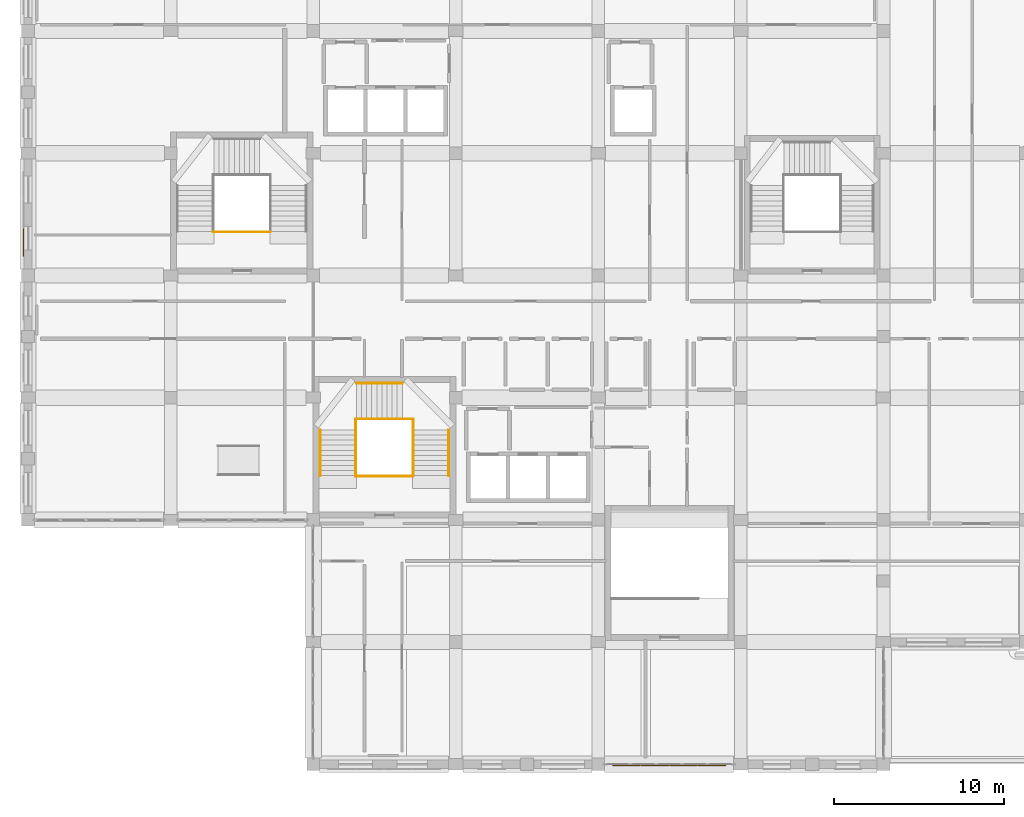
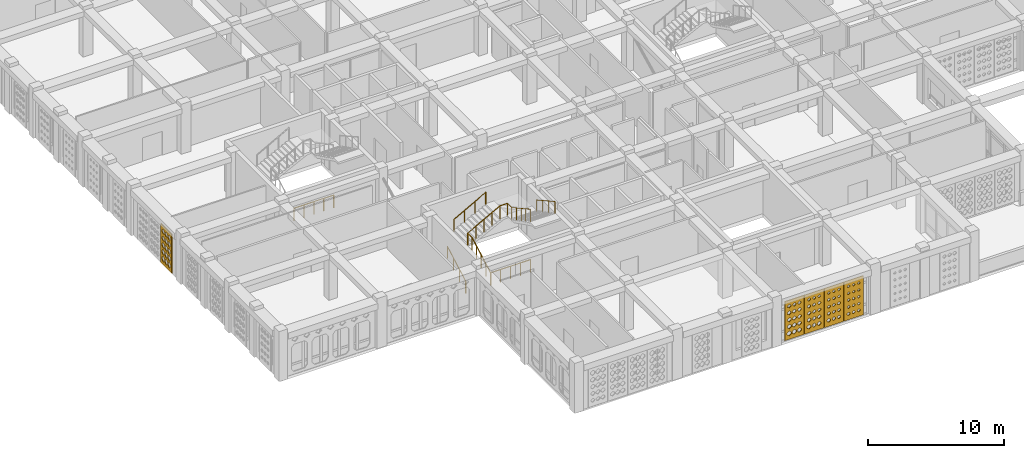
# One storey, part 76 of 111: 8 railings, 5 coverings.
"""IFC4 building model written with IfcOpenShell, lengths in metres."""

from ifc_helpers import new_model, si_unit, derived_unit, direction, frame, origin, origin_2d, place, context, subcontext, project, spatial, polyline, circle, outline, extrude, material, layer, layer_set, type_object, element, save


model = new_model("IFC4")

# Units and contexts
model_context = context("Model", 3, precision=1e-05, world=origin(), true_north=direction((0.0, 1.0)))
body_context = subcontext(model_context, "Body", "Model", "MODEL_VIEW")
ifc_project = project(units=[si_unit("LENGTHUNIT", "METRE"), si_unit("AREAUNIT", "SQUARE_METRE"), si_unit("VOLUMEUNIT", "CUBIC_METRE"), si_unit("PLANEANGLEUNIT", "RADIAN"), si_unit("MASSUNIT", "GRAM", prefix="KILO"), derived_unit("THERMALTRANSMITTANCEUNIT", [(si_unit("POWERUNIT", "WATT"), 1), (si_unit("LENGTHUNIT", "METRE"), -2), (si_unit("THERMODYNAMICTEMPERATUREUNIT", "KELVIN"), -1)])], contexts=[model_context])

# Site, building, storey
site_placement = place(None, origin())
site = spatial("IfcSite", under=ifc_project, at=site_placement, CompositionType="ELEMENT")
building_placement = place(site_placement, origin())
building = spatial("IfcBuilding", under=site, at=building_placement, Name="Veybourne Emporium", CompositionType="ELEMENT")
storey_placement = place(building_placement, frame((0.0, 0.0, 9.89990234375)))
storey = spatial("IfcBuildingStorey", under=building, at=storey_placement, Name="L02", CompositionType="ELEMENT", Elevation=9.89990234375)

# Railings
ifc_material_1 = material(Name="Brushed Stainless Steel", Category="steel")
railing_type_1 = type_object("IfcRailingType", Name="Guard_GR-01", PredefinedType="GUARDRAIL", material=ifc_material_1)
railing_1_placement = place(storey_placement, frame((19.31005859375, 17.0, 0.0)))
element("IfcRailing", 1, at=railing_1_placement, inside=storey, type_object=railing_type_1, Name="L02 ST-01 stair guard 1", PredefinedType="GUARDRAIL", context=body_context, shape_type="SweptSolid", body=[
    extrude(circle(Radius=0.02392578125, at=origin_2d()), frame((0.0, 0.0, 1.1259765625), z_axis=(0.0, 0.87415354758, 0.485649642493), x_axis=(-1.0, 0.0, 0.0)), (0.0, 0.0, 1.0), 3.088623046875),
    extrude(circle(Radius=0.02392578125, at=origin_2d()), frame((0.0, 2.699951171875, 2.6259765625), z_axis=(0.0, 1.0, 0.0), x_axis=(-1.0, 0.0, 0.0)), (0.0, 0.0, 1.0), 0.64013671875),
    extrude(circle(Radius=0.02099609375, at=origin_2d()), origin(), (0.0, 0.0, 1.0), 1.101806640625),
    extrude(circle(Radius=0.02099609375, at=origin_2d()), frame((0.0, 0.675048828125, 0.375)), (0.0, 0.0, 1.0), 1.101806640625),
    extrude(circle(Radius=0.02099609375, at=origin_2d()), frame((0.0, 1.35009765625, 0.75)), (0.0, 0.0, 1.0), 1.101806640625),
    extrude(circle(Radius=0.02099609375, at=origin_2d()), frame((0.0, 2.02490234375, 1.125)), (0.0, 0.0, 1.0), 1.101806640625),
    extrude(circle(Radius=0.02099609375, at=origin_2d()), frame((0.0, 2.699951171875, 1.5)), (0.0, 0.0, 1.0), 1.101806640625),
    extrude(circle(Radius=0.02099609375, at=origin_2d()), frame((0.0, 3.340087890625, 1.5)), (0.0, 0.0, 1.0), 1.101806640625),
])
railing_2_placement = place(storey_placement, frame((19.31005859375, 20.340087890625, 1.5)))
element("IfcRailing", 2, at=railing_2_placement, inside=storey, type_object=railing_type_1, Name="L02 ST-01 stair guard 2", PredefinedType="GUARDRAIL", context=body_context, shape_type="SweptSolid", body=[
    extrude(circle(Radius=0.02392578125, at=origin_2d()), frame((0.0, 0.0, 1.1259765625), z_axis=(0.87715976088, 0.0, 0.480198660861), x_axis=(0.0, 1.0, 0.0)), (0.0, 0.0, 1.0), 3.123779296875),
    extrude(circle(Radius=0.02392578125, at=origin_2d()), frame((2.739990234375, 0.0, 2.6259765625), z_axis=(1.0, 0.0, 0.0), x_axis=(0.0, 1.0, 0.0)), (0.0, 0.0, 1.0), 0.639892578125),
    extrude(circle(Radius=0.02099609375, at=origin_2d()), origin(), (0.0, 0.0, 1.0), 1.101806640625),
    extrude(circle(Radius=0.02099609375, at=origin_2d()), frame((0.68505859375, 0.0, 0.375)), (0.0, 0.0, 1.0), 1.101806640625),
    extrude(circle(Radius=0.02099609375, at=origin_2d()), frame((1.3701171875, 0.0, 0.75)), (0.0, 0.0, 1.0), 1.101806640625),
    extrude(circle(Radius=0.02099609375, at=origin_2d()), frame((2.054931640625, 0.0, 1.125)), (0.0, 0.0, 1.0), 1.101806640625),
    extrude(circle(Radius=0.02099609375, at=origin_2d()), frame((2.739990234375, 0.0, 1.5)), (0.0, 0.0, 1.0), 1.101806640625),
    extrude(circle(Radius=0.02099609375, at=origin_2d()), frame((3.3798828125, 0.0, 1.5)), (0.0, 0.0, 1.0), 1.101806640625),
])
railing_3_placement = place(storey_placement, frame((22.68994140625, 20.340087890625, 3.0)))
element("IfcRailing", 3, at=railing_3_placement, inside=storey, type_object=railing_type_1, Name="L02 ST-01 stair guard 3", PredefinedType="GUARDRAIL", context=body_context, shape_type="SweptSolid", body=[
    extrude(circle(Radius=0.02392578125, at=origin_2d()), frame((0.0, 0.0, 1.1259765625), z_axis=(0.0, -1.0, 0.0), x_axis=(1.0, 0.0, 0.0)), (0.0, 0.0, 1.0), 0.64013671875),
    extrude(circle(Radius=0.02392578125, at=origin_2d()), frame((0.0, -0.64013671875, 1.1259765625), z_axis=(0.0, -0.87415354758, 0.485649642493), x_axis=(1.0, 0.0, 0.0)), (0.0, 0.0, 1.0), 3.088623046875),
    extrude(circle(Radius=0.02099609375, at=origin_2d()), origin(), (0.0, 0.0, 1.0), 1.101806640625),
    extrude(circle(Radius=0.02099609375, at=origin_2d()), frame((0.0, -0.64013671875, 0.0)), (0.0, 0.0, 1.0), 1.101806640625),
    extrude(circle(Radius=0.02099609375, at=origin_2d()), frame((0.0, -1.315185546875, 0.375)), (0.0, 0.0, 1.0), 1.101806640625),
    extrude(circle(Radius=0.02099609375, at=origin_2d()), frame((0.0, -1.990234375, 0.75)), (0.0, 0.0, 1.0), 1.101806640625),
    extrude(circle(Radius=0.02099609375, at=origin_2d()), frame((0.0, -2.6650390625, 1.125)), (0.0, 0.0, 1.0), 1.101806640625),
    extrude(circle(Radius=0.02099609375, at=origin_2d()), frame((0.0, -3.340087890625, 1.5)), (0.0, 0.0, 1.0), 1.101806640625),
])
railing_4_placement = place(storey_placement, frame((19.31005859375, 16.9599609375, 0.0)))
element("IfcRailing", 4, at=railing_4_placement, inside=storey, type_object=railing_type_1, Name="L02 ST-01 stair guard 4", PredefinedType="GUARDRAIL", context=body_context, shape_type="SweptSolid", body=[
    extrude(circle(Radius=0.02392578125, at=origin_2d()), frame((0.0, 0.0, 1.1259765625), z_axis=(1.0, 0.0, 0.0), x_axis=(0.0, 1.0, 0.0)), (0.0, 0.0, 1.0), 3.3798828125),
    extrude(circle(Radius=0.02099609375, at=origin_2d()), origin(), (0.0, 0.0, 1.0), 1.101806640625),
    extrude(circle(Radius=0.02099609375, at=origin_2d()), frame((0.844970703125, 0.0, 0.0)), (0.0, 0.0, 1.0), 1.101806640625),
    extrude(circle(Radius=0.02099609375, at=origin_2d()), frame((1.68994140625, 0.0, 0.0)), (0.0, 0.0, 1.0), 1.101806640625),
    extrude(circle(Radius=0.02099609375, at=origin_2d()), frame((2.534912109375, 0.0, 0.0)), (0.0, 0.0, 1.0), 1.101806640625),
    extrude(circle(Radius=0.02099609375, at=origin_2d()), frame((3.3798828125, 0.0, 0.0)), (0.0, 0.0, 1.0), 1.101806640625),
])
railing_5_placement = place(storey_placement, frame((10.909912109375, 31.360107421875, 0.0)))
element("IfcRailing", 5, at=railing_5_placement, inside=storey, type_object=railing_type_1, Name="L02 ST-02 stair guard 4", PredefinedType="GUARDRAIL", context=body_context, shape_type="SweptSolid", body=[
    extrude(circle(Radius=0.02392578125, at=origin_2d()), frame((0.0, 0.0, 1.1259765625), z_axis=(1.0, 0.0, 0.0), x_axis=(0.0, 1.0, 0.0)), (0.0, 0.0, 1.0), 3.380126953125),
    extrude(circle(Radius=0.02099609375, at=origin_2d()), origin(), (0.0, 0.0, 1.0), 1.101806640625),
    extrude(circle(Radius=0.02099609375, at=origin_2d()), frame((0.844970703125, 0.0, 0.0)), (0.0, 0.0, 1.0), 1.101806640625),
    extrude(circle(Radius=0.02099609375, at=origin_2d()), frame((1.68994140625, 0.0, 0.0)), (0.0, 0.0, 1.0), 1.101806640625),
    extrude(circle(Radius=0.02099609375, at=origin_2d()), frame((2.53515625, 0.0, 0.0)), (0.0, 0.0, 1.0), 1.101806640625),
    extrude(circle(Radius=0.02099609375, at=origin_2d()), frame((3.380126953125, 0.0, 0.0)), (0.0, 0.0, 1.0), 1.101806640625),
])
railing_type_2 = type_object("IfcRailingType", Name="Handrail_HR-01", PredefinedType="HANDRAIL", material=ifc_material_1)
railing_6_placement = place(storey_placement, frame((17.2099609375, 17.0, 0.150146484375)))
element("IfcRailing", 6, at=railing_6_placement, inside=storey, type_object=railing_type_2, Name="L02 ST-01 pitch handrail 1", PredefinedType="HANDRAIL", context=body_context, shape_type="SweptSolid", body=[
    extrude(circle(Radius=0.02392578125, at=origin_2d()), frame((0.0, 0.0, 0.92578125), z_axis=(0.0, 0.87415354758, 0.485649642493), x_axis=(-1.0, 0.0, 0.0)), (0.0, 0.0, 1.0), 3.088623046875),
    extrude(circle(Radius=0.02099609375, at=origin_2d()), frame((0.0, 0.0, -0.14990234375)), (0.0, 0.0, 1.0), 1.0517578125),
    extrude(circle(Radius=0.02099609375, at=origin_2d()), frame((0.0, 0.89990234375, 0.35009765625)), (0.0, 0.0, 1.0), 1.0517578125),
    extrude(circle(Radius=0.02099609375, at=origin_2d()), frame((0.0, 1.800048828125, 0.85009765625)), (0.0, 0.0, 1.0), 1.0517578125),
    extrude(circle(Radius=0.02099609375, at=origin_2d()), frame((0.0, 2.699951171875, 1.35009765625)), (0.0, 0.0, 1.0), 1.0517578125),
])
railing_7_placement = place(storey_placement, frame((19.35009765625, 22.43994140625, 1.650146484375)))
element("IfcRailing", 7, at=railing_7_placement, inside=storey, type_object=railing_type_2, Name="L02 ST-01 pitch handrail 2", PredefinedType="HANDRAIL", context=body_context, shape_type="SweptSolid", body=[
    extrude(circle(Radius=0.02392578125, at=origin_2d()), frame((0.0, 0.0, 0.92578125), z_axis=(0.87415354758, 0.0, 0.485649642493), x_axis=(0.0, 1.0, 0.0)), (0.0, 0.0, 1.0), 3.088623046875),
    extrude(circle(Radius=0.02099609375, at=origin_2d()), frame((0.0, 0.0, -0.14990234375)), (0.0, 0.0, 1.0), 1.0517578125),
    extrude(circle(Radius=0.02099609375, at=origin_2d()), frame((0.89990234375, 0.0, 0.35009765625)), (0.0, 0.0, 1.0), 1.0517578125),
    extrude(circle(Radius=0.02099609375, at=origin_2d()), frame((1.800048828125, 0.0, 0.85009765625)), (0.0, 0.0, 1.0), 1.0517578125),
    extrude(circle(Radius=0.02099609375, at=origin_2d()), frame((2.699951171875, 0.0, 1.35009765625)), (0.0, 0.0, 1.0), 1.0517578125),
])
railing_8_placement = place(storey_placement, frame((24.7900390625, 19.699951171875, 3.150146484375)))
element("IfcRailing", 8, at=railing_8_placement, inside=storey, type_object=railing_type_2, Name="L02 ST-01 pitch handrail 3", PredefinedType="HANDRAIL", context=body_context, shape_type="SweptSolid", body=[
    extrude(circle(Radius=0.02392578125, at=origin_2d()), frame((0.0, 0.0, 0.92578125), z_axis=(0.0, -0.87415354758, 0.485649642493), x_axis=(1.0, 0.0, 0.0)), (0.0, 0.0, 1.0), 3.088623046875),
    extrude(circle(Radius=0.02099609375, at=origin_2d()), frame((0.0, 0.0, -0.14990234375)), (0.0, 0.0, 1.0), 1.0517578125),
    extrude(circle(Radius=0.02099609375, at=origin_2d()), frame((0.0, -0.89990234375, 0.35009765625)), (0.0, 0.0, 1.0), 1.0517578125),
    extrude(circle(Radius=0.02099609375, at=origin_2d()), frame((0.0, -1.800048828125, 0.85009765625)), (0.0, 0.0, 1.0), 1.0517578125),
    extrude(circle(Radius=0.02099609375, at=origin_2d()), frame((0.0, -2.699951171875, 1.35009765625)), (0.0, 0.0, 1.0), 1.0517578125),
])

# Coverings
ifc_material_2 = material(Name="Warm-White Perforated Aluminium Screen Alloy", Category="aluminium")
ifc_layer_1 = layer(ifc_material_2, 0.06005859375)
ifc_layer_set_1 = layer_set([ifc_layer_1], Name="Warm-White Perforated Aluminium Screen Alloy")
covering_type_1 = type_object("IfcCoveringType", Name="WaveScreen_SCR-01", PredefinedType="CLADDING", material=ifc_layer_set_1)
covering_1_placement = place(storey_placement, frame((40.294921875, -0.096923828125, 1.815185546875), z_axis=(0.0, 1.0, 0.0), x_axis=(-1.0, 0.0, 0.0)))
element("IfcCovering", 9, at=covering_1_placement, inside=storey, type_object=covering_type_1, Name="L02 wave-perforated aluminium screen SCR-01 (21C.1)", PredefinedType="CLADDING", context=body_context, shape_type="SweptSolid", body=[
    extrude(outline(polyline([(-0.81982421875, -1.7548828125), (0.81982421875, -1.7548828125), (0.81982421875, 1.7548828125), (-0.81982421875, 1.7548828125), (-0.81982421875, -1.7548828125)]), holes=[polyline([(-0.433349609375, -1.096435546875), (-0.315673828125, -1.1806640625), (-0.315673828125, -1.275390625), (-0.433349609375, -1.359619140625), (-0.551025390625, -1.275390625), (-0.551025390625, -1.1806640625), (-0.433349609375, -1.096435546875)]), polyline([(-0.433349609375, -0.490966796875), (-0.32275390625, -0.569580078125), (-0.32275390625, -0.658203125), (-0.433349609375, -0.737060546875), (-0.5439453125, -0.658203125), (-0.5439453125, -0.569580078125), (-0.433349609375, -0.490966796875)]), polyline([(-0.433349609375, 0.116455078125), (-0.328125, 0.0419921875), (-0.328125, -0.0419921875), (-0.433349609375, -0.116455078125), (-0.53857421875, -0.0419921875), (-0.53857421875, 0.0419921875), (-0.433349609375, 0.116455078125)]), polyline([(-0.433349609375, 0.72607421875), (-0.33154296875, 0.654296875), (-0.33154296875, 0.57373046875), (-0.433349609375, 0.501953125), (-0.534912109375, 0.57373046875), (-0.534912109375, 0.654296875), (-0.433349609375, 0.72607421875)]), polyline([(-0.433349609375, 1.338134765625), (-0.333251953125, 1.267578125), (-0.333251953125, 1.1884765625), (-0.433349609375, 1.117919921875), (-0.533447265625, 1.1884765625), (-0.533447265625, 1.267578125), (-0.433349609375, 1.338134765625)]), polyline([(0.0, -1.091796875), (0.121337890625, -1.178955078125), (0.121337890625, -1.277099609375), (0.0, -1.364013671875), (-0.121337890625, -1.277099609375), (-0.121337890625, -1.178955078125), (0.0, -1.091796875)]), polyline([(0.0, -0.4873046875), (0.113525390625, -0.568359375), (0.113525390625, -0.65966796875), (0.0, -0.740478515625), (-0.113525390625, -0.65966796875), (-0.113525390625, -0.568359375), (0.0, -0.4873046875)]), polyline([(0.0, 0.119140625), (0.107421875, 0.04296875), (0.107421875, -0.04296875), (0.0, -0.119140625), (-0.107421875, -0.04296875), (-0.107421875, 0.04296875), (0.0, 0.119140625)]), polyline([(0.0, 0.727783203125), (0.10302734375, 0.65478515625), (0.10302734375, 0.572998046875), (0.0, 0.500244140625), (-0.10302734375, 0.572998046875), (-0.10302734375, 0.65478515625), (0.0, 0.727783203125)]), polyline([(0.0, 1.338623046875), (0.1005859375, 1.267822265625), (0.1005859375, 1.18798828125), (0.0, 1.1171875), (-0.1005859375, 1.18798828125), (-0.1005859375, 1.267822265625), (0.0, 1.338623046875)]), polyline([(0.433349609375, -1.0869140625), (0.55859375, -1.17724609375), (0.55859375, -1.27880859375), (0.433349609375, -1.368896484375), (0.30810546875, -1.27880859375), (0.30810546875, -1.17724609375), (0.433349609375, -1.0869140625)]), polyline([(0.433349609375, -0.4833984375), (0.55029296875, -0.56689453125), (0.55029296875, -0.6611328125), (0.433349609375, -0.74462890625), (0.31640625, -0.6611328125), (0.31640625, -0.56689453125), (0.433349609375, -0.4833984375)]), polyline([(0.433349609375, 0.122314453125), (0.54345703125, 0.0439453125), (0.54345703125, -0.0439453125), (0.433349609375, -0.122314453125), (0.3232421875, -0.0439453125), (0.3232421875, 0.0439453125), (0.433349609375, 0.122314453125)]), polyline([(0.433349609375, 0.72998046875), (0.5380859375, 0.65576171875), (0.5380859375, 0.572265625), (0.433349609375, 0.498046875), (0.32861328125, 0.572265625), (0.32861328125, 0.65576171875), (0.433349609375, 0.72998046875)]), polyline([(0.433349609375, 1.33984375), (0.534912109375, 1.268310546875), (0.534912109375, 1.187744140625), (0.433349609375, 1.1162109375), (0.331787109375, 1.187744140625), (0.331787109375, 1.268310546875), (0.433349609375, 1.33984375)])]), origin(), (0.0, 0.0, 1.0), 0.06005859375),
])
ifc_layer_2 = layer(ifc_material_2, 0.06005859375)
ifc_layer_set_2 = layer_set([ifc_layer_2], Name="Warm-White Perforated Aluminium Screen Alloy")
covering_type_2 = type_object("IfcCoveringType", Name="WaveScreen_SCR-02", PredefinedType="CLADDING", material=ifc_layer_set_2)
covering_2_placement = place(storey_placement, frame((38.614990234375, -0.096923828125, 1.815185546875), z_axis=(0.0, 1.0, 0.0), x_axis=(-1.0, 0.0, 0.0)))
element("IfcCovering", 10, at=covering_2_placement, inside=storey, type_object=covering_type_2, Name="L02 wave-perforated aluminium screen SCR-02 (21C.2)", PredefinedType="CLADDING", context=body_context, shape_type="SweptSolid", body=[
    extrude(outline(polyline([(-0.81982421875, -1.7548828125), (0.81982421875, -1.7548828125), (0.81982421875, 1.7548828125), (-0.81982421875, 1.7548828125), (-0.81982421875, -1.7548828125)]), holes=[polyline([(-0.433349609375, -1.0771484375), (-0.2998046875, -1.173583984375), (-0.2998046875, -1.2822265625), (-0.433349609375, -1.37890625), (-0.56689453125, -1.2822265625), (-0.56689453125, -1.173583984375), (-0.433349609375, -1.0771484375)]), polyline([(-0.433349609375, -0.474609375), (-0.309326171875, -0.563720703125), (-0.309326171875, -0.664306640625), (-0.433349609375, -0.75341796875), (-0.557373046875, -0.664306640625), (-0.557373046875, -0.563720703125), (-0.433349609375, -0.474609375)]), polyline([(-0.433349609375, 0.12939453125), (-0.3173828125, 0.046630859375), (-0.3173828125, -0.046630859375), (-0.433349609375, -0.12939453125), (-0.54931640625, -0.046630859375), (-0.54931640625, 0.046630859375), (-0.433349609375, 0.12939453125)]), polyline([(-0.433349609375, 0.735107421875), (-0.32421875, 0.65771484375), (-0.32421875, 0.5703125), (-0.433349609375, 0.492919921875), (-0.54248046875, 0.5703125), (-0.54248046875, 0.65771484375), (-0.433349609375, 0.735107421875)]), polyline([(-0.433349609375, 1.343017578125), (-0.3291015625, 1.26953125), (-0.3291015625, 1.1865234375), (-0.433349609375, 1.11279296875), (-0.53759765625, 1.1865234375), (-0.53759765625, 1.26953125), (-0.433349609375, 1.343017578125)]), polyline([(0.0, -1.0712890625), (0.13818359375, -1.171630859375), (0.13818359375, -1.284423828125), (0.0, -1.384521484375), (-0.13818359375, -1.284423828125), (-0.13818359375, -1.171630859375), (0.0, -1.0712890625)]), polyline([(0.0, -0.469482421875), (0.128173828125, -0.56201171875), (0.128173828125, -0.666015625), (0.0, -0.75830078125), (-0.128173828125, -0.666015625), (-0.128173828125, -0.56201171875), (0.0, -0.469482421875)]), polyline([(0.0, 0.1337890625), (0.119384765625, 0.048095703125), (0.119384765625, -0.048095703125), (0.0, -0.1337890625), (-0.119384765625, -0.048095703125), (-0.119384765625, 0.048095703125), (0.0, 0.1337890625)]), polyline([(0.0, 0.738525390625), (0.112060546875, 0.658935546875), (0.112060546875, 0.569091796875), (0.0, 0.489501953125), (-0.112060546875, 0.569091796875), (-0.112060546875, 0.658935546875), (0.0, 0.738525390625)]), polyline([(0.0, 1.345703125), (0.106201171875, 1.270263671875), (0.106201171875, 1.185791015625), (0.0, 1.1103515625), (-0.106201171875, 1.185791015625), (-0.106201171875, 1.270263671875), (0.0, 1.345703125)]), polyline([(0.433349609375, -1.0654296875), (0.576416015625, -1.16943359375), (0.576416015625, -1.28662109375), (0.433349609375, -1.390380859375), (0.290283203125, -1.28662109375), (0.290283203125, -1.16943359375), (0.433349609375, -1.0654296875)]), polyline([(0.433349609375, -0.464111328125), (0.56591796875, -0.56005859375), (0.56591796875, -0.66796875), (0.433349609375, -0.763916015625), (0.30078125, -0.66796875), (0.30078125, -0.56005859375), (0.433349609375, -0.464111328125)]), polyline([(0.433349609375, 0.13818359375), (0.556396484375, 0.0498046875), (0.556396484375, -0.0498046875), (0.433349609375, -0.13818359375), (0.31005859375, -0.0498046875), (0.31005859375, 0.0498046875), (0.433349609375, 0.13818359375)]), polyline([(0.433349609375, 0.742431640625), (0.548583984375, 0.660400390625), (0.548583984375, 0.567626953125), (0.433349609375, 0.485595703125), (0.318115234375, 0.567626953125), (0.318115234375, 0.660400390625), (0.433349609375, 0.742431640625)]), polyline([(0.433349609375, 1.348388671875), (0.5419921875, 1.271484375), (0.5419921875, 1.1845703125), (0.433349609375, 1.107421875), (0.32470703125, 1.1845703125), (0.32470703125, 1.271484375), (0.433349609375, 1.348388671875)])]), origin(), (0.0, 0.0, 1.0), 0.06005859375),
])
ifc_layer_3 = layer(ifc_material_2, 0.06005859375)
ifc_layer_set_3 = layer_set([ifc_layer_3], Name="Warm-White Perforated Aluminium Screen Alloy")
covering_type_3 = type_object("IfcCoveringType", Name="WaveScreen_SCR-03", PredefinedType="CLADDING", material=ifc_layer_set_3)
covering_3_placement = place(storey_placement, frame((36.93505859375, -0.096923828125, 1.815185546875), z_axis=(0.0, 1.0, 0.0), x_axis=(-1.0, 0.0, 0.0)))
element("IfcCovering", 11, at=covering_3_placement, inside=storey, type_object=covering_type_3, Name="L02 wave-perforated aluminium screen SCR-03 (21C.3)", PredefinedType="CLADDING", context=body_context, shape_type="SweptSolid", body=[
    extrude(outline(polyline([(-0.81982421875, -1.7548828125), (0.81982421875, -1.7548828125), (0.81982421875, 1.7548828125), (-0.81982421875, 1.7548828125), (-0.81982421875, -1.7548828125)]), holes=[polyline([(-0.433349609375, -1.053955078125), (-0.281005859375, -1.165283203125), (-0.281005859375, -1.29052734375), (-0.433349609375, -1.402099609375), (-0.585693359375, -1.29052734375), (-0.585693359375, -1.165283203125), (-0.433349609375, -1.053955078125)]), polyline([(-0.433349609375, -0.45361328125), (-0.2919921875, -0.55615234375), (-0.2919921875, -0.671875), (-0.433349609375, -0.7744140625), (-0.57470703125, -0.671875), (-0.57470703125, -0.55615234375), (-0.433349609375, -0.45361328125)]), polyline([(-0.433349609375, 0.14794921875), (-0.30224609375, 0.05322265625), (-0.30224609375, -0.05322265625), (-0.433349609375, -0.14794921875), (-0.564453125, -0.05322265625), (-0.564453125, 0.05322265625), (-0.433349609375, 0.14794921875)]), polyline([(-0.433349609375, 0.750732421875), (-0.311279296875, 0.6630859375), (-0.311279296875, 0.564697265625), (-0.433349609375, 0.477294921875), (-0.55517578125, 0.564697265625), (-0.55517578125, 0.6630859375), (-0.433349609375, 0.750732421875)]), polyline([(-0.433349609375, 1.355224609375), (-0.3193359375, 1.273681640625), (-0.3193359375, 1.18212890625), (-0.433349609375, 1.100830078125), (-0.54736328125, 1.18212890625), (-0.54736328125, 1.273681640625), (-0.433349609375, 1.355224609375)]), polyline([(0.0, -1.047607421875), (0.15771484375, -1.1630859375), (0.15771484375, -1.29296875), (0.0, -1.408203125), (-0.15771484375, -1.29296875), (-0.15771484375, -1.1630859375), (0.0, -1.047607421875)]), polyline([(0.0, -0.447509765625), (0.146240234375, -0.553955078125), (0.146240234375, -0.674072265625), (0.0, -0.780517578125), (-0.146240234375, -0.674072265625), (-0.146240234375, -0.553955078125), (0.0, -0.447509765625)]), polyline([(0.0, 0.153564453125), (0.135498046875, 0.055419921875), (0.135498046875, -0.055419921875), (0.0, -0.153564453125), (-0.135498046875, -0.055419921875), (-0.135498046875, 0.055419921875), (0.0, 0.153564453125)]), polyline([(0.0, 0.755615234375), (0.1259765625, 0.6650390625), (0.1259765625, 0.56298828125), (0.0, 0.472412109375), (-0.1259765625, 0.56298828125), (-0.1259765625, 0.6650390625), (0.0, 0.755615234375)]), polyline([(0.0, 1.359375), (0.117431640625, 1.275390625), (0.117431640625, 1.1806640625), (0.0, 1.0966796875), (-0.117431640625, 1.1806640625), (-0.117431640625, 1.275390625), (0.0, 1.359375)]), polyline([(0.433349609375, -1.041259765625), (0.59619140625, -1.160888671875), (0.59619140625, -1.295166015625), (0.433349609375, -1.414794921875), (0.2705078125, -1.295166015625), (0.2705078125, -1.160888671875), (0.433349609375, -1.041259765625)]), polyline([(0.433349609375, -0.44140625), (0.584716796875, -0.5517578125), (0.584716796875, -0.67626953125), (0.433349609375, -0.78662109375), (0.281982421875, -0.67626953125), (0.281982421875, -0.5517578125), (0.433349609375, -0.44140625)]), polyline([(0.433349609375, 0.1591796875), (0.57373046875, 0.057373046875), (0.57373046875, -0.057373046875), (0.433349609375, -0.1591796875), (0.29296875, -0.057373046875), (0.29296875, 0.057373046875), (0.433349609375, 0.1591796875)]), polyline([(0.433349609375, 0.760986328125), (0.5634765625, 0.6669921875), (0.5634765625, 0.56103515625), (0.433349609375, 0.467041015625), (0.302978515625, 0.56103515625), (0.302978515625, 0.6669921875), (0.433349609375, 0.760986328125)]), polyline([(0.433349609375, 1.36376953125), (0.554443359375, 1.27685546875), (0.554443359375, 1.17919921875), (0.433349609375, 1.09228515625), (0.312255859375, 1.17919921875), (0.312255859375, 1.27685546875), (0.433349609375, 1.36376953125)])]), origin(), (0.0, 0.0, 1.0), 0.06005859375),
])
ifc_layer_4 = layer(ifc_material_2, 0.06005859375)
ifc_layer_set_4 = layer_set([ifc_layer_4], Name="Warm-White Perforated Aluminium Screen Alloy")
covering_type_4 = type_object("IfcCoveringType", Name="WaveScreen_SCR-04", PredefinedType="CLADDING", material=ifc_layer_set_4)
covering_4_placement = place(storey_placement, frame((-0.298095703125, 30.7451171875, 1.815185546875), z_axis=(1.0, 0.0, 0.0), x_axis=(0.0, 1.0, 0.0)))
element("IfcCovering", 12, at=covering_4_placement, inside=storey, type_object=covering_type_4, Name="L02 wave-perforated aluminium screen SCR-04 (4.1)", PredefinedType="CLADDING", context=body_context, shape_type="SweptSolid", body=[
    extrude(outline(polyline([(-0.81982421875, -1.7548828125), (0.81982421875, -1.7548828125), (0.81982421875, 1.7548828125), (-0.81982421875, 1.7548828125), (-0.81982421875, -1.7548828125)]), holes=[polyline([(-0.433349609375, -0.964111328125), (-0.2470703125, -1.133056640625), (-0.2470703125, -1.322998046875), (-0.433349609375, -1.491943359375), (-0.61962890625, -1.322998046875), (-0.61962890625, -1.133056640625), (-0.433349609375, -0.964111328125)]), polyline([(-0.433349609375, -0.3564453125), (-0.2470703125, -0.521240234375), (-0.2470703125, -0.706787109375), (-0.433349609375, -0.87158203125), (-0.61962890625, -0.706787109375), (-0.61962890625, -0.521240234375), (-0.433349609375, -0.3564453125)]), polyline([(-0.433349609375, 0.247802734375), (-0.2470703125, 0.08935546875), (-0.2470703125, -0.08935546875), (-0.433349609375, -0.247802734375), (-0.61962890625, -0.08935546875), (-0.61962890625, 0.08935546875), (-0.433349609375, 0.247802734375)]), polyline([(-0.433349609375, 0.8505859375), (-0.2470703125, 0.69921875), (-0.2470703125, 0.52880859375), (-0.433349609375, 0.377197265625), (-0.61962890625, 0.52880859375), (-0.61962890625, 0.69921875), (-0.433349609375, 0.8505859375)]), polyline([(-0.433349609375, 1.4521484375), (-0.2470703125, 1.30859375), (-0.2470703125, 1.147216796875), (-0.433349609375, 1.00390625), (-0.61962890625, 1.147216796875), (-0.61962890625, 1.30859375), (-0.433349609375, 1.4521484375)]), polyline([(0.0, -0.966064453125), (0.186279296875, -1.1337890625), (0.186279296875, -1.322265625), (0.0, -1.489990234375), (-0.186279296875, -1.322265625), (-0.186279296875, -1.1337890625), (0.0, -0.966064453125)]), polyline([(0.0, -0.360595703125), (0.186279296875, -0.522705078125), (0.186279296875, -0.705078125), (0.0, -0.867431640625), (-0.186279296875, -0.705078125), (-0.186279296875, -0.522705078125), (0.0, -0.360595703125)]), polyline([(0.0, 0.242919921875), (0.186279296875, 0.08740234375), (0.186279296875, -0.08740234375), (0.0, -0.242919921875), (-0.186279296875, -0.08740234375), (-0.186279296875, 0.08740234375), (0.0, 0.242919921875)]), polyline([(0.0, 0.84521484375), (0.186279296875, 0.697265625), (0.186279296875, 0.53076171875), (0.0, 0.3828125), (-0.186279296875, 0.53076171875), (-0.186279296875, 0.697265625), (0.0, 0.84521484375)]), polyline([(0.0, 1.446044921875), (0.186279296875, 1.306396484375), (0.186279296875, 1.1494140625), (0.0, 1.010009765625), (-0.186279296875, 1.1494140625), (-0.186279296875, 1.306396484375), (0.0, 1.446044921875)]), polyline([(0.433349609375, -0.969482421875), (0.61962890625, -1.135009765625), (0.61962890625, -1.321044921875), (0.433349609375, -1.486328125), (0.2470703125, -1.321044921875), (0.2470703125, -1.135009765625), (0.433349609375, -0.969482421875)]), polyline([(0.433349609375, -0.364990234375), (0.61962890625, -0.5244140625), (0.61962890625, -0.70361328125), (0.433349609375, -0.86279296875), (0.2470703125, -0.70361328125), (0.2470703125, -0.5244140625), (0.433349609375, -0.364990234375)]), polyline([(0.433349609375, 0.23779296875), (0.61962890625, 0.085693359375), (0.61962890625, -0.085693359375), (0.433349609375, -0.23779296875), (0.2470703125, -0.085693359375), (0.2470703125, 0.085693359375), (0.433349609375, 0.23779296875)]), polyline([(0.433349609375, 0.83935546875), (0.61962890625, 0.695068359375), (0.61962890625, 0.532958984375), (0.433349609375, 0.388671875), (0.2470703125, 0.532958984375), (0.2470703125, 0.695068359375), (0.433349609375, 0.83935546875)]), polyline([(0.433349609375, 1.43994140625), (0.61669921875, 1.30419921875), (0.61669921875, 1.151611328125), (0.433349609375, 1.01611328125), (0.25, 1.151611328125), (0.25, 1.30419921875), (0.433349609375, 1.43994140625)])]), origin(), (0.0, 0.0, 1.0), 0.06005859375),
])
covering_5_placement = place(storey_placement, frame((35.2548828125, -0.096923828125, 1.815185546875), z_axis=(0.0, 1.0, 0.0), x_axis=(-1.0, 0.0, 0.0)))
element("IfcCovering", 13, at=covering_5_placement, inside=storey, type_object=covering_type_4, Name="L02 wave-perforated aluminium screen SCR-04 (21C.4)", PredefinedType="CLADDING", context=body_context, shape_type="SweptSolid", body=[
    extrude(outline(polyline([(-0.81982421875, -1.7548828125), (0.81982421875, -1.7548828125), (0.81982421875, 1.7548828125), (-0.81982421875, 1.7548828125), (-0.81982421875, -1.7548828125)]), holes=[polyline([(-0.433349609375, -1.029296875), (-0.2607421875, -1.156494140625), (-0.2607421875, -1.299560546875), (-0.433349609375, -1.4267578125), (-0.60595703125, -1.299560546875), (-0.60595703125, -1.156494140625), (-0.433349609375, -1.029296875)]), polyline([(-0.433349609375, -0.429443359375), (-0.272216796875, -0.547607421875), (-0.272216796875, -0.680419921875), (-0.433349609375, -0.798583984375), (-0.594482421875, -0.680419921875), (-0.594482421875, -0.547607421875), (-0.433349609375, -0.429443359375)]), polyline([(-0.433349609375, 0.170654296875), (-0.28369140625, 0.0615234375), (-0.28369140625, -0.0615234375), (-0.433349609375, -0.170654296875), (-0.5830078125, -0.0615234375), (-0.5830078125, 0.0615234375), (-0.433349609375, 0.170654296875)]), polyline([(-0.433349609375, 0.771484375), (-0.29443359375, 0.670654296875), (-0.29443359375, 0.557373046875), (-0.433349609375, 0.45654296875), (-0.572021484375, 0.557373046875), (-0.572021484375, 0.670654296875), (-0.433349609375, 0.771484375)]), polyline([(-0.433349609375, 1.373291015625), (-0.3046875, 1.2802734375), (-0.3046875, 1.17578125), (-0.433349609375, 1.082763671875), (-0.56201171875, 1.17578125), (-0.56201171875, 1.2802734375), (-0.433349609375, 1.373291015625)]), polyline([(0.0, -1.022705078125), (0.177978515625, -1.154052734375), (0.177978515625, -1.302001953125), (0.0, -1.43310546875), (-0.177978515625, -1.302001953125), (-0.177978515625, -1.154052734375), (0.0, -1.022705078125)]), polyline([(0.0, -0.4228515625), (0.166259765625, -0.545166015625), (0.166259765625, -0.682861328125), (0.0, -0.80517578125), (-0.166259765625, -0.682861328125), (-0.166259765625, -0.545166015625), (0.0, -0.4228515625)]), polyline([(0.0, 0.177001953125), (0.15478515625, 0.063720703125), (0.15478515625, -0.063720703125), (0.0, -0.177001953125), (-0.15478515625, -0.063720703125), (-0.15478515625, 0.063720703125), (0.0, 0.177001953125)]), polyline([(0.0, 0.77734375), (0.1435546875, 0.6728515625), (0.1435546875, 0.55517578125), (0.0, 0.45068359375), (-0.1435546875, 0.55517578125), (-0.1435546875, 0.6728515625), (0.0, 0.77734375)]), polyline([(0.0, 1.378662109375), (0.13330078125, 1.2822265625), (0.13330078125, 1.173828125), (0.0, 1.077392578125), (-0.13330078125, 1.173828125), (-0.13330078125, 1.2822265625), (0.0, 1.378662109375)]), polyline([(0.433349609375, -1.0166015625), (0.616455078125, -1.15185546875), (0.616455078125, -1.30419921875), (0.433349609375, -1.439453125), (0.250244140625, -1.30419921875), (0.250244140625, -1.15185546875), (0.433349609375, -1.0166015625)]), polyline([(0.433349609375, -0.41650390625), (0.60498046875, -0.54296875), (0.60498046875, -0.68505859375), (0.433349609375, -0.8115234375), (0.26171875, -0.68505859375), (0.26171875, -0.54296875), (0.433349609375, -0.41650390625)]), polyline([(0.433349609375, 0.183349609375), (0.59326171875, 0.06591796875), (0.59326171875, -0.06591796875), (0.433349609375, -0.183349609375), (0.273193359375, -0.06591796875), (0.273193359375, 0.06591796875), (0.433349609375, 0.183349609375)]), polyline([(0.433349609375, 0.783447265625), (0.58203125, 0.675048828125), (0.58203125, 0.552978515625), (0.433349609375, 0.444580078125), (0.28466796875, 0.552978515625), (0.28466796875, 0.675048828125), (0.433349609375, 0.783447265625)]), polyline([(0.433349609375, 1.38427734375), (0.5712890625, 1.2841796875), (0.5712890625, 1.171875), (0.433349609375, 1.07177734375), (0.29541015625, 1.171875), (0.29541015625, 1.2841796875), (0.433349609375, 1.38427734375)])]), origin(), (0.0, 0.0, 1.0), 0.06005859375),
])

save(model, "model.ifc")
